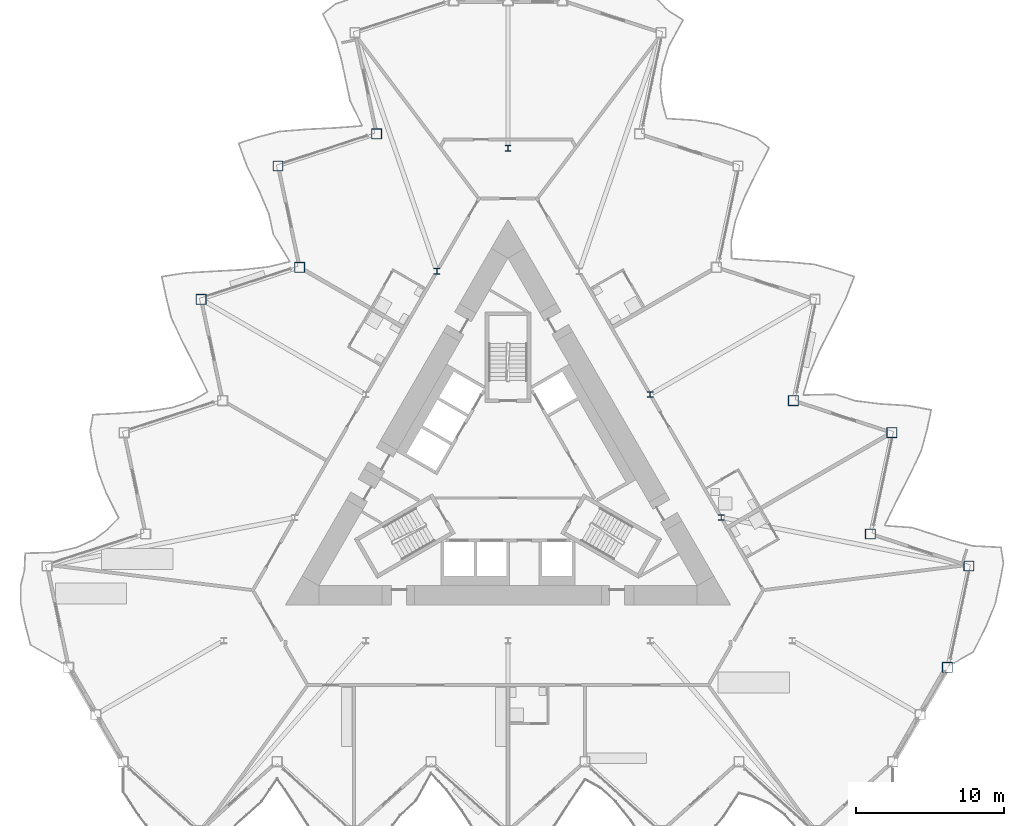
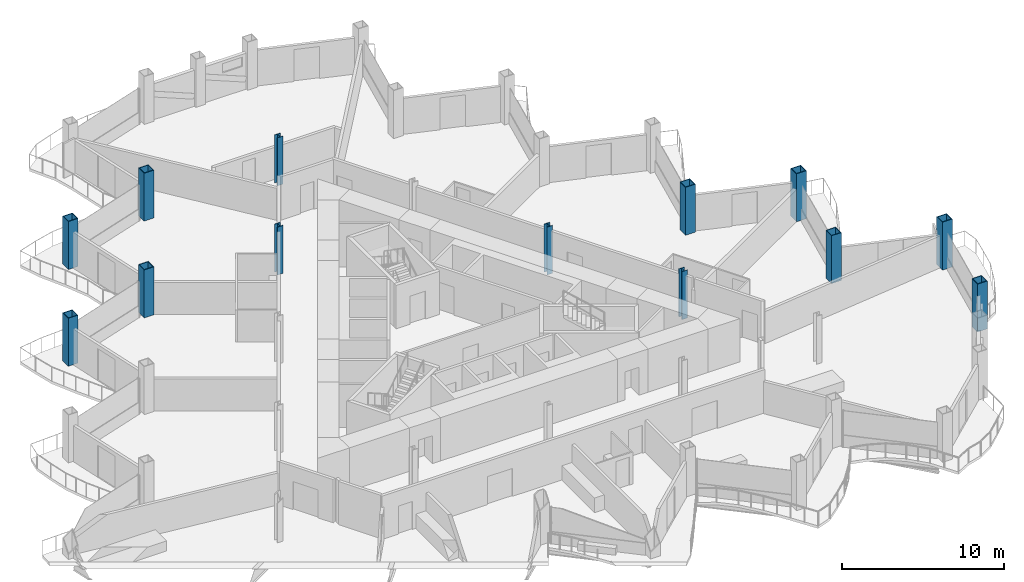
# One storey, part 2 of 24: 13 columns.
"""IFC4 building model written with IfcOpenShell, lengths in metres."""

import ifcopenshell
import ifcopenshell.guid

model = None  # the IFC model being written
_history = None  # IfcOwnerHistory: only IFC2X3 demands one
_inside = {}  # id of a spatial element -> (the spatial element, [elements in it])
_under = {}  # id of a project, library or spatial element -> (it, [spatial elements below it])
_declared = {}  # id of a project -> (the project, [libraries it declares])
_typed = {}  # id of a type object -> (the type object, [elements of that type])
_made_of = {}  # id of a material, layer set ... -> (it, [elements and type objects made of it])


def new_model(schema):
    """Start an empty IFC model of exactly this schema.

    Asked for "IFC4X3", IfcOpenShell would pick the latest addendum, in which some entities
    have other attributes; the version numbers below select the first issue.
    IFC2X3 requires an IfcOwnerHistory on every rooted entity: one is made here for all.
    """
    global model, _history
    if schema == "IFC4X3":
        model = ifcopenshell.file(schema_version=(4, 3, 0, 0))
    else:
        model = ifcopenshell.file(schema=schema)
    _inside.clear()
    _under.clear()
    _declared.clear()
    _typed.clear()
    _made_of.clear()
    _history = None
    if model.schema == "IFC2X3":
        org = make("IfcOrganization", Name="unknown")
        user = make(
            "IfcPersonAndOrganization",
            ThePerson=make("IfcPerson", FamilyName="unknown"),
            TheOrganization=org,
        )
        app = make(
            "IfcApplication",
            ApplicationDeveloper=org,
            Version="unknown",
            ApplicationFullName="unknown",
            ApplicationIdentifier="unknown",
        )
        _history = make(
            "IfcOwnerHistory",
            OwningUser=user,
            OwningApplication=app,
            ChangeAction="ADDED",
            CreationDate=0,
        )
    return model


def make(cls, **values):
    """One entity of the class cls with the attributes given. An attribute that is None is left unset."""
    return model.create_entity(
        cls, **{name: value for name, value in values.items() if value is not None}
    )


def rooted(cls, **values):
    """An entity with a GlobalId (a new one), such as an element, a storey or a relation."""
    return make(cls, GlobalId=ifcopenshell.guid.new(), OwnerHistory=_history, **values)


def si_unit(unit_type, name, prefix=None):
    """IfcSIUnit, for example si_unit("LENGTHUNIT", "METRE", prefix="MILLI")."""
    return make("IfcSIUnit", UnitType=unit_type, Prefix=prefix, Name=name)


def assignment(units):
    """IfcUnitAssignment: the units of a project."""
    return None if units is None else make("IfcUnitAssignment", Units=units)


def point(xyz):
    """IfcCartesianPoint."""
    return None if xyz is None else make("IfcCartesianPoint", Coordinates=xyz)


def direction(xyz):
    """IfcDirection."""
    return None if xyz is None else make("IfcDirection", DirectionRatios=xyz)


def frame(location, z_axis=None, x_axis=None):
    """IfcAxis2Placement3D, a coordinate frame: its origin and axes. An axis left out is left unset."""
    return make(
        "IfcAxis2Placement3D",
        Location=point(location),
        Axis=direction(z_axis),
        RefDirection=direction(x_axis),
    )


def frame_2d(location, x_axis=None):
    """IfcAxis2Placement2D, a coordinate frame in the plane: its origin and x axis."""
    return make(
        "IfcAxis2Placement2D", Location=point(location), RefDirection=direction(x_axis)
    )


def origin():
    """The frame at (0, 0, 0) with its axes left unset."""
    return frame((0.0, 0.0, 0.0))


def origin_2d():
    """The frame at (0, 0) in the plane with its x axis left unset."""
    return frame_2d((0.0, 0.0))


def place(relative_to, where):
    """IfcLocalPlacement: puts the frame where relative to a parent placement (None: the world)."""
    return make(
        "IfcLocalPlacement", PlacementRelTo=relative_to, RelativePlacement=where
    )


def context(
    kind, dimensions, precision=None, world=None, true_north=None, identifier=None
):
    """IfcGeometricRepresentationContext, for example the 3D "Model" context."""
    return make(
        "IfcGeometricRepresentationContext",
        ContextIdentifier=identifier,
        ContextType=kind,
        CoordinateSpaceDimension=dimensions,
        Precision=precision,
        WorldCoordinateSystem=world,
        TrueNorth=true_north,
    )


def subcontext(parent, identifier, kind, view, scale=None):
    """IfcGeometricRepresentationSubContext, for example "Body" below "Model"."""
    return make(
        "IfcGeometricRepresentationSubContext",
        ContextIdentifier=identifier,
        ContextType=kind,
        ParentContext=parent,
        TargetScale=scale,
        TargetView=view,
    )


def project(units=None, contexts=None):
    """IfcProject with its units and contexts."""
    return rooted(
        "IfcProject",
        Name="project",
        RepresentationContexts=contexts,
        UnitsInContext=assignment(units),
    )


def spatial(cls, under=None, at=None, **own):
    """A site, building, storey or space (cls), placed at a placement, below another one or the project."""
    s = rooted(cls, ObjectPlacement=at, **own)
    if under is not None:
        _under.setdefault(under.id(), (under, []))[1].append(s)
    return s


def profile(cls, at=None, kind="AREA", **sizes):
    """A parametric profile (cls). Its sizes go by their IFC names, for example OverallWidth=200.0."""
    return make(cls, ProfileType=kind, Position=at, **sizes)


def hollow_rectangle(**sizes):
    """IfcRectangleHollowProfileDef."""
    return profile("IfcRectangleHollowProfileDef", **sizes)


def i_section(**sizes):
    """IfcIShapeProfileDef."""
    return profile("IfcIShapeProfileDef", **sizes)


def extrude(swept, where, along, depth):
    """IfcExtrudedAreaSolid: the profile swept, set in the frame where, extruded along a direction by depth."""
    return make(
        "IfcExtrudedAreaSolid",
        SweptArea=swept,
        Position=where,
        ExtrudedDirection=direction(along),
        Depth=depth,
    )


def shape(context_of_items, identifier, shape_type, items):
    """IfcShapeRepresentation: the items that make up one representation, for example the "Body"."""
    return make(
        "IfcShapeRepresentation",
        ContextOfItems=context_of_items,
        RepresentationIdentifier=identifier,
        RepresentationType=shape_type,
        Items=items,
    )


def material(Name=None, Category=None):
    """IfcMaterial."""
    return make("IfcMaterial", Name=Name, Category=Category)


def material_profile(
    of_material, cross_section, Name=None, Category=None, Priority=None
):
    """IfcMaterialProfile: a cross section and its material."""
    return make(
        "IfcMaterialProfile",
        Name=Name,
        Material=of_material,
        Profile=cross_section,
        Priority=Priority,
        Category=Category,
    )


def profile_set(profiles, Name=None, composite=None):
    """IfcMaterialProfileSet."""
    return make(
        "IfcMaterialProfileSet",
        Name=Name,
        MaterialProfiles=profiles,
        CompositeProfile=composite,
    )


def made_of(thing, what):
    """Note that an element or type object is made of a material, layer set ...; save() writes the relation."""
    if what is not None:
        _made_of.setdefault(what.id(), (what, []))[1].append(thing)
    return thing


def type_object(cls, material=None, **own):
    """A type object (cls), such as IfcWallType, which elements share."""
    return made_of(rooted(cls, **own), material)


def element(
    cls,
    number,
    at=None,
    inside=None,
    cuts=None,
    type_object=None,
    material=None,
    context=None,
    identifier="Body",
    shape_type=None,
    held_by="IfcProductDefinitionShape",
    body=None,
    shapes=None,
    **own,
):
    """One element of the class cls, such as IfcWall. Its Tag is "e" and its number.

    at: its placement. inside: the storey or other place that contains it. cuts: it is an
    opening in that element (IfcRelVoidsElement). A single representation is given by context,
    identifier, shape_type and body (its items); several are given by shapes. held_by: the class
    of the entity that holds the representations. save() writes the other relations.
    """
    e = rooted(cls, Tag="e%d" % number, ObjectPlacement=at, **own)
    if body is not None:
        shapes = [shape(context, identifier, shape_type, body)]
    if shapes is not None:
        e.Representation = make(held_by, Representations=shapes)
    if inside is not None:
        _inside.setdefault(inside.id(), (inside, []))[1].append(e)
    if cuts is not None:
        rooted(
            "IfcRelVoidsElement", RelatingBuildingElement=cuts, RelatedOpeningElement=e
        )
    if type_object is not None:
        _typed.setdefault(type_object.id(), (type_object, []))[1].append(e)
    return made_of(e, material)


def aggregate(whole, parts):
    """IfcRelAggregates: a whole, such as a stair, and the parts it consists of."""
    return rooted("IfcRelAggregates", RelatingObject=whole, RelatedObjects=parts)


def save(model, path):
    """Write the relations noted so far, then the file.

    IfcRelAggregates (storeys below a building ...), IfcRelContainedInSpatialStructure (elements
    in a storey), IfcRelDefinesByType, IfcRelAssociatesMaterial and IfcRelDeclares: one each for
    every whole, place, type object, material and project.
    """
    for whole, parts in _under.values():
        aggregate(whole, parts)
    for where, things in _inside.values():
        rooted(
            "IfcRelContainedInSpatialStructure",
            RelatedElements=things,
            RelatingStructure=where,
        )
    for kind, things in _typed.values():
        rooted("IfcRelDefinesByType", RelatedObjects=things, RelatingType=kind)
    for what, things in _made_of.values():
        rooted("IfcRelAssociatesMaterial", RelatedObjects=things, RelatingMaterial=what)
    for by, libraries in _declared.values():
        rooted("IfcRelDeclares", RelatingContext=by, RelatedDefinitions=libraries)
    model.write(path)


model = new_model("IFC4")

# Units and contexts
model_context = context("Model", 3, precision=1e-05, world=origin(), true_north=direction((0.0, 1.0)))
body_context = subcontext(model_context, "Body", "Model", "MODEL_VIEW")
ifc_project = project(units=[si_unit("LENGTHUNIT", "METRE"), si_unit("AREAUNIT", "SQUARE_METRE"), si_unit("VOLUMEUNIT", "CUBIC_METRE"), si_unit("PLANEANGLEUNIT", "RADIAN"), si_unit("MASSUNIT", "GRAM", prefix="KILO")], contexts=[model_context])

# Site, building, storey
site_placement = place(None, origin())
site = spatial("IfcSite", under=ifc_project, at=site_placement, CompositionType="ELEMENT")
building_placement = place(site_placement, origin())
building = spatial("IfcBuilding", under=site, at=building_placement, Name="Cormorant Prow Tower", CompositionType="ELEMENT")
storey_placement = place(building_placement, frame((0.0, 0.0, 270.60009765625)))
storey = spatial("IfcBuildingStorey", under=building, at=storey_placement, Name="L61", CompositionType="ELEMENT", Elevation=270.60009765625)

# Columns
ifc_material_1 = material(Name="Structural steel ASTM A572 Gr 50", Category="steel")
ifc_material_profile_1 = material_profile(ifc_material_1, hollow_rectangle(XDim=0.699951171875, YDim=0.699951171875, WallThickness=0.044921875, at=origin_2d()), Name="Box 700x700x45")
ifc_profile_set_1 = profile_set([ifc_material_profile_1], Name="Structural steel ASTM A572 Gr 50")
column_type_1 = type_object("IfcColumnType", Name="Perimeter box column 700x700x45", PredefinedType="COLUMN", material=ifc_profile_set_1)
for number, where, z_axis, x_axis, name in (
    (1, (29.611572265625, -12.858154296875, 0.0), (0.0, 0.0, 1.0), (1.0, 0.0, 0.0), "Perimeter column C5 at ENE00 L61"),
    (2, (31.063232421875, -6.029052734375, 0.0), (0.0, 0.0, 1.0), (1.0, 0.0, 0.0), "Perimeter column C5 at ENE01 L61"),
    (3, (24.42333984375, -3.871826171875, 0.0), (0.0, 0.0, 1.0), (1.0, 0.0, 0.0), "Perimeter column C5 at ENE02 L61"),
    (4, (25.875, 2.957275390625, 0.0), (0.0, 0.0, 1.0), (1.0, 0.0, 0.0), "Perimeter column C5 at ENE03 L61"),
    (5, (19.235107421875, 5.114501953125, 0.0), (0.0, 0.0, 1.0), (1.0, 0.0, 0.0), "Perimeter column C5 at ENE04 L61"),
    (6, (-8.858642578125, 23.087158203125, 0.0), (0.0, 0.0, 1.0), (1.0, 0.0, 0.0), "Perimeter column C5 at WNW02 L61"),
    (7, (-15.49853515625, 20.9296875, 0.0), (0.0, 0.0, 1.0), (1.0, 0.0, 0.0), "Perimeter column C5 at WNW03 L61"),
    (8, (-14.046875, 14.100830078125, 0.0), (0.0, 0.0, 1.0), (1.0, 0.0, 0.0), "Perimeter column C5 at WNW04 L61"),
    (9, (-20.686767578125, 11.943359375, 0.0), (0.0, 0.0, 1.0), (1.0, 0.0, 0.0), "Perimeter column C5 at WNW05 L61"),
):
    element("IfcColumn", number, at=place(storey_placement, frame(where, z_axis=z_axis, x_axis=x_axis)), inside=storey, type_object=column_type_1, Name=name, PredefinedType="COLUMN", context=body_context, shape_type="SweptSolid", body=[
        extrude(hollow_rectangle(XDim=0.699951171875, YDim=0.699951171875, WallThickness=0.044921875, at=origin_2d()), origin(), (0.0, 0.0, 1.0), 3.599853515625),
    ])
ifc_material_2 = material(Name="Structural steel ASTM A992 Gr 50", Category="steel")
ifc_material_profile_2 = material_profile(ifc_material_2, i_section(OverallWidth=0.39892578125, OverallDepth=0.393310546875, WebThickness=0.022705078125, FlangeThickness=0.03662109375, at=origin_2d()), Name="W14x193")
ifc_profile_set_2 = profile_set([ifc_material_profile_2], Name="Structural steel ASTM A992 Gr 50")
column_type_2 = type_object("IfcColumnType", Name="Ring column W14x193", PredefinedType="COLUMN", material=ifc_profile_set_2)
for number, where, z_axis, x_axis, name in (
    (10, (0.0, 22.12060546875, 0.0), (0.0, 0.0, 1.0), (1.0, 0.0, 0.0), "Ring column 1 L61"),
    (11, (-4.789306640625, 13.8251953125, 0.0), (0.0, 0.0, 1.0), (1.0, 0.0, 0.0), "Ring column 2 L61"),
    (12, (14.36767578125, -2.76513671875, 0.0), (0.0, 0.0, 1.0), (1.0, 0.0, 0.0), "Ring column 10 L61"),
    (13, (9.578369140625, 5.530029296875, 0.0), (0.0, 0.0, 1.0), (1.0, 0.0, 0.0), "Ring column 11 L61"),
):
    element("IfcColumn", number, at=place(storey_placement, frame(where, z_axis=z_axis, x_axis=x_axis)), inside=storey, type_object=column_type_2, Name=name, PredefinedType="COLUMN", context=body_context, shape_type="SweptSolid", body=[
        extrude(i_section(OverallWidth=0.39892578125, OverallDepth=0.393310546875, WebThickness=0.022705078125, FlangeThickness=0.03662109375, at=origin_2d()), origin(), (0.0, 0.0, 1.0), 3.599853515625),
    ])

save(model, "model.ifc")
